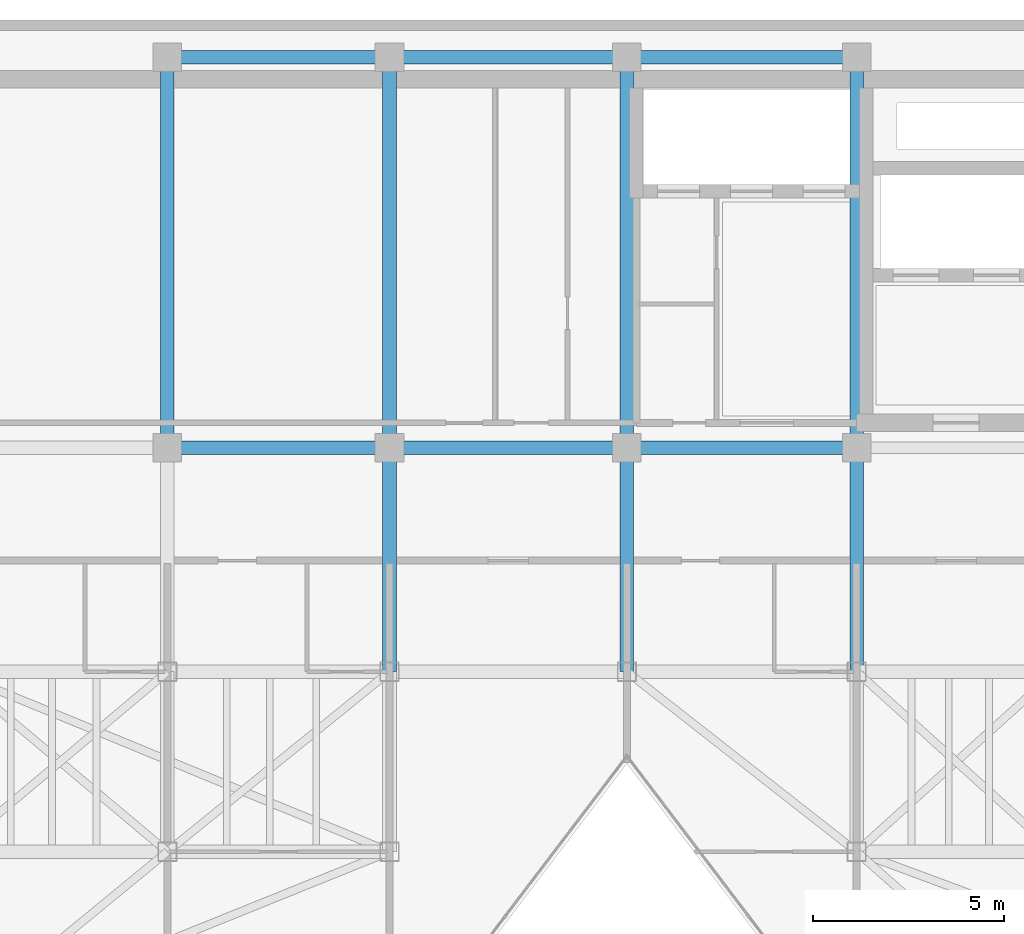
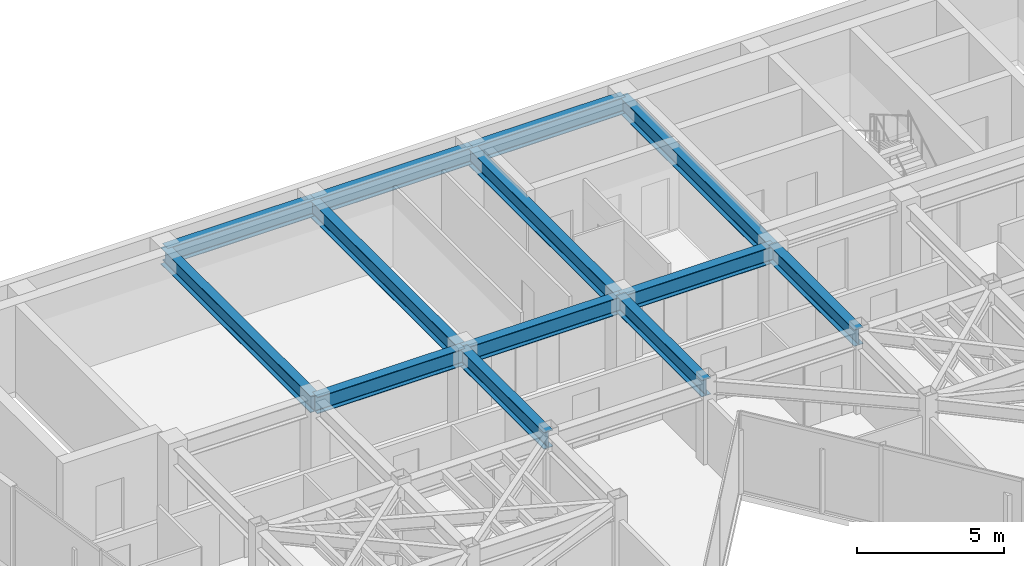
# One storey, part 11 of 20: 13 beams.
"""IFC4 building model written with IfcOpenShell, lengths in metres."""

from ifc_helpers import new_model, si_unit, direction, frame, origin, origin_2d, place, context, subcontext, project, spatial, i_section, extrude, material, material_profile, profile_set, type_object, element, save


model = new_model("IFC4")

# Units and contexts
model_context = context("Model", 3, precision=1e-05, world=origin(), true_north=direction((0.0, 1.0)))
body_context = subcontext(model_context, "Body", "Model", "MODEL_VIEW")
ifc_project = project(units=[si_unit("LENGTHUNIT", "METRE"), si_unit("AREAUNIT", "SQUARE_METRE"), si_unit("VOLUMEUNIT", "CUBIC_METRE"), si_unit("PLANEANGLEUNIT", "RADIAN"), si_unit("MASSUNIT", "GRAM", prefix="KILO")], contexts=[model_context])

# Site, building, storey
site_placement = place(None, origin())
site = spatial("IfcSite", under=ifc_project, at=site_placement, CompositionType="ELEMENT")
building_placement = place(site_placement, origin())
building = spatial("IfcBuilding", under=site, at=building_placement, Name="Kravanh Interchange Tower", CompositionType="ELEMENT")
storey_placement = place(building_placement, frame((0.0, 0.0, 241.800048828125)))
storey = spatial("IfcBuildingStorey", under=building, at=storey_placement, Name="L58", CompositionType="ELEMENT", Elevation=241.800048828125)

# Beams
ifc_material = material(Name="Structural Steel S355", Category="steel")
ifc_material_profile = material_profile(ifc_material, i_section(OverallWidth=0.35498046875, OverallDepth=0.696044921875, WebThickness=0.015380859375, FlangeThickness=0.02490234375, FilletRadius=0.02392578125, at=origin_2d()), Name="W27X146")
ifc_profile_set = profile_set([ifc_material_profile], Name="Structural Steel S355")
beam_type = type_object("IfcBeamType", Name="Floor Beam W27X146 Structural Steel S355", PredefinedType="BEAM", material=ifc_profile_set)
for number, where, z_axis, x_axis, name in (
    (1, (44.800048828125, 31.5, 3.001953125), (0.0, 1.0, 0.0), (-1.0, 0.0, 0.0), "L58 Primary Floor Girder 1"),
    (2, (50.800048828125, 31.5, 3.001953125), (0.0, 1.0, 0.0), (-1.0, 0.0, 0.0), "L58 Primary Floor Girder 7"),
    (3, (38.60009765625, 31.5, 3.001953125), (0.0, 1.0, 0.0), (-1.0, 0.0, 0.0), "L58 Primary Floor Girder 19"),
):
    element("IfcBeam", number, at=place(storey_placement, frame(where, z_axis=z_axis, x_axis=x_axis)), inside=storey, type_object=beam_type, Name=name, PredefinedType="BEAM", context=body_context, shape_type="SweptSolid", body=[
        extrude(i_section(OverallWidth=0.35498046875, OverallDepth=0.696044921875, WebThickness=0.015380859375, FlangeThickness=0.02490234375, FilletRadius=0.02392578125, at=origin_2d()), origin(), (0.0, 0.0, 1.0), 5.85009765625),
    ])
beam_1_placement = place(storey_placement, frame((50.800048828125, 47.550048828125, 3.001953125), z_axis=(-1.0, 0.0, 0.0), x_axis=(0.0, -1.0, 0.0)))
element("IfcBeam", 4, at=beam_1_placement, inside=storey, type_object=beam_type, Name="L58 Primary Floor Girder 49", PredefinedType="BEAM", context=body_context, shape_type="SweptSolid", body=[
    extrude(i_section(OverallWidth=0.35498046875, OverallDepth=0.696044921875, WebThickness=0.015380859375, FlangeThickness=0.02490234375, FilletRadius=0.02392578125, at=origin_2d()), origin(), (0.0, 0.0, 1.0), 6.0),
])
beam_2_placement = place(storey_placement, frame((50.800048828125, 47.550048828125, 3.001953125), z_axis=(0.0, -1.0, 0.0), x_axis=(1.0, 0.0, 0.0)))
element("IfcBeam", 5, at=beam_2_placement, inside=storey, type_object=beam_type, Name="L58 Primary Floor Girder 50", PredefinedType="BEAM", context=body_context, shape_type="SweptSolid", body=[
    extrude(i_section(OverallWidth=0.35498046875, OverallDepth=0.696044921875, WebThickness=0.015380859375, FlangeThickness=0.02490234375, FilletRadius=0.02392578125, at=origin_2d()), origin(), (0.0, 0.0, 1.0), 10.199951171875),
])
beam_3_placement = place(storey_placement, frame((50.800048828125, 37.35009765625, 3.001953125), z_axis=(-1.0, 0.0, 0.0), x_axis=(0.0, -1.0, 0.0)))
element("IfcBeam", 6, at=beam_3_placement, inside=storey, type_object=beam_type, Name="L58 Primary Floor Girder 51", PredefinedType="BEAM", context=body_context, shape_type="SweptSolid", body=[
    extrude(i_section(OverallWidth=0.35498046875, OverallDepth=0.696044921875, WebThickness=0.015380859375, FlangeThickness=0.02490234375, FilletRadius=0.02392578125, at=origin_2d()), origin(), (0.0, 0.0, 1.0), 6.0),
])
beam_4_placement = place(storey_placement, frame((44.800048828125, 37.35009765625, 3.001953125), z_axis=(-1.0, 0.0, 0.0), x_axis=(0.0, -1.0, 0.0)))
element("IfcBeam", 7, at=beam_4_placement, inside=storey, type_object=beam_type, Name="L58 Primary Floor Girder 52", PredefinedType="BEAM", context=body_context, shape_type="SweptSolid", body=[
    extrude(i_section(OverallWidth=0.35498046875, OverallDepth=0.696044921875, WebThickness=0.015380859375, FlangeThickness=0.02490234375, FilletRadius=0.02392578125, at=origin_2d()), origin(), (0.0, 0.0, 1.0), 6.199951171875),
])
beam_5_placement = place(storey_placement, frame((44.800048828125, 37.35009765625, 3.001953125), z_axis=(0.0, 1.0, 0.0), x_axis=(-1.0, 0.0, 0.0)))
element("IfcBeam", 8, at=beam_5_placement, inside=storey, type_object=beam_type, Name="L58 Primary Floor Girder 53", PredefinedType="BEAM", context=body_context, shape_type="SweptSolid", body=[
    extrude(i_section(OverallWidth=0.35498046875, OverallDepth=0.696044921875, WebThickness=0.015380859375, FlangeThickness=0.02490234375, FilletRadius=0.02392578125, at=origin_2d()), origin(), (0.0, 0.0, 1.0), 10.199951171875),
])
beam_6_placement = place(storey_placement, frame((44.800048828125, 47.550048828125, 3.001953125), z_axis=(-1.0, 0.0, 0.0), x_axis=(0.0, -1.0, 0.0)))
element("IfcBeam", 9, at=beam_6_placement, inside=storey, type_object=beam_type, Name="L58 Primary Floor Girder 54", PredefinedType="BEAM", context=body_context, shape_type="SweptSolid", body=[
    extrude(i_section(OverallWidth=0.35498046875, OverallDepth=0.696044921875, WebThickness=0.015380859375, FlangeThickness=0.02490234375, FilletRadius=0.02392578125, at=origin_2d()), origin(), (0.0, 0.0, 1.0), 6.199951171875),
])
beam_7_placement = place(storey_placement, frame((38.60009765625, 37.35009765625, 3.001953125), z_axis=(-1.0, 0.0, 0.0), x_axis=(0.0, -1.0, 0.0)))
element("IfcBeam", 10, at=beam_7_placement, inside=storey, type_object=beam_type, Name="L58 Primary Floor Girder 55", PredefinedType="BEAM", context=body_context, shape_type="SweptSolid", body=[
    extrude(i_section(OverallWidth=0.35498046875, OverallDepth=0.696044921875, WebThickness=0.015380859375, FlangeThickness=0.02490234375, FilletRadius=0.02392578125, at=origin_2d()), origin(), (0.0, 0.0, 1.0), 5.800048828125),
])
beam_8_placement = place(storey_placement, frame((38.60009765625, 37.35009765625, 3.001953125), z_axis=(0.0, 1.0, 0.0), x_axis=(-1.0, 0.0, 0.0)))
element("IfcBeam", 11, at=beam_8_placement, inside=storey, type_object=beam_type, Name="L58 Primary Floor Girder 56", PredefinedType="BEAM", context=body_context, shape_type="SweptSolid", body=[
    extrude(i_section(OverallWidth=0.35498046875, OverallDepth=0.696044921875, WebThickness=0.015380859375, FlangeThickness=0.02490234375, FilletRadius=0.02392578125, at=origin_2d()), origin(), (0.0, 0.0, 1.0), 10.199951171875),
])
beam_9_placement = place(storey_placement, frame((38.60009765625, 47.550048828125, 3.001953125), z_axis=(-1.0, 0.0, 0.0), x_axis=(0.0, -1.0, 0.0)))
element("IfcBeam", 12, at=beam_9_placement, inside=storey, type_object=beam_type, Name="L58 Primary Floor Girder 57", PredefinedType="BEAM", context=body_context, shape_type="SweptSolid", body=[
    extrude(i_section(OverallWidth=0.35498046875, OverallDepth=0.696044921875, WebThickness=0.015380859375, FlangeThickness=0.02490234375, FilletRadius=0.02392578125, at=origin_2d()), origin(), (0.0, 0.0, 1.0), 5.800048828125),
])
beam_10_placement = place(storey_placement, frame((32.800048828125, 37.35009765625, 3.001953125), z_axis=(0.0, 1.0, 0.0), x_axis=(-1.0, 0.0, 0.0)))
element("IfcBeam", 13, at=beam_10_placement, inside=storey, type_object=beam_type, Name="L58 Primary Floor Girder 59", PredefinedType="BEAM", context=body_context, shape_type="SweptSolid", body=[
    extrude(i_section(OverallWidth=0.35498046875, OverallDepth=0.696044921875, WebThickness=0.015380859375, FlangeThickness=0.02490234375, FilletRadius=0.02392578125, at=origin_2d()), origin(), (0.0, 0.0, 1.0), 10.199951171875),
])

save(model, "model.ifc")
